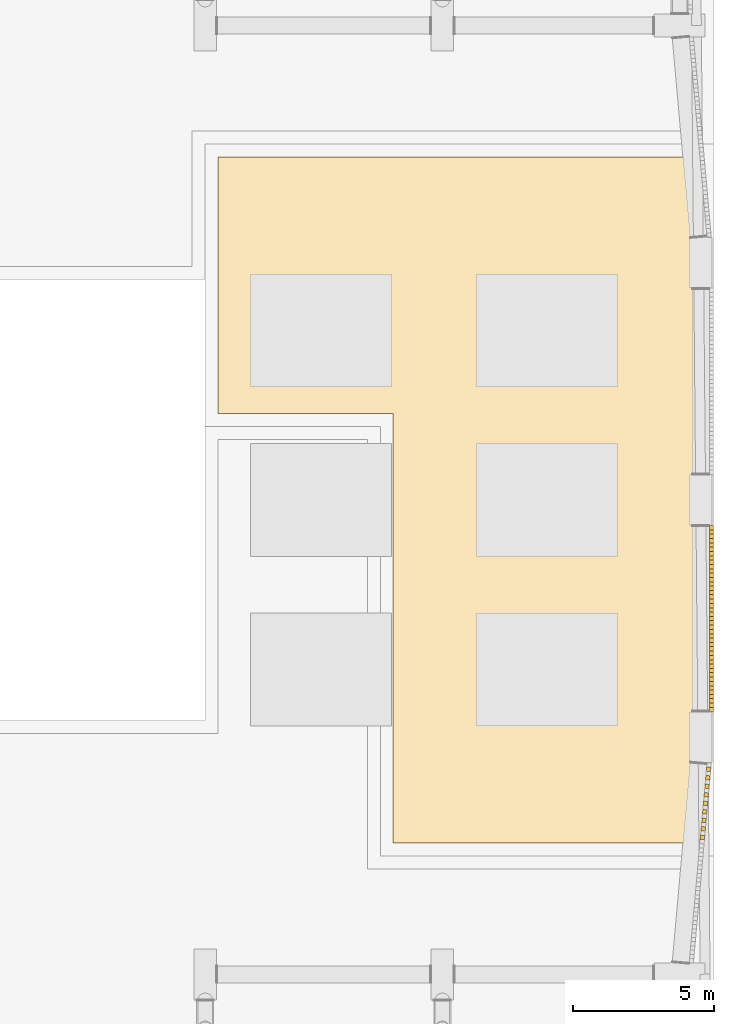
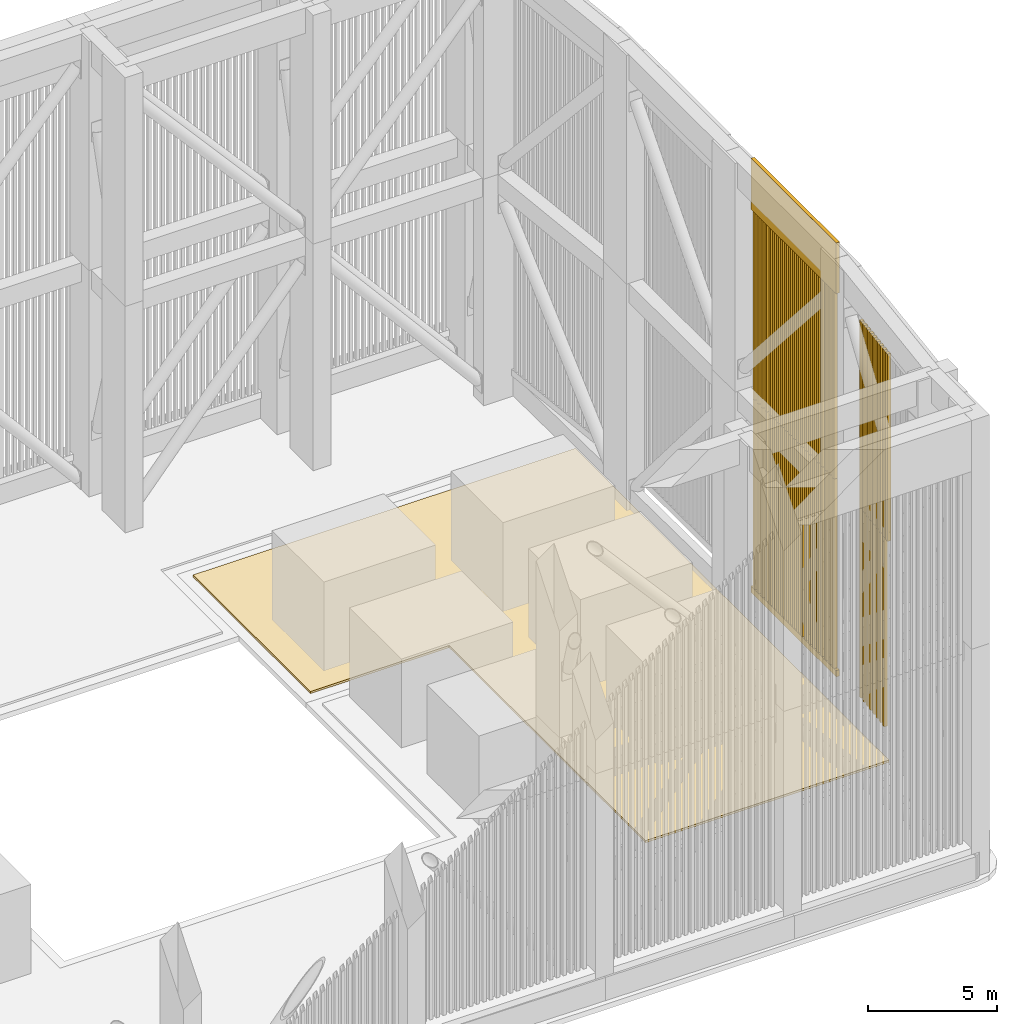
# One storey, part 18 of 27: 59 shading devices, 3 coverings.
"""IFC4 building model written with IfcOpenShell, lengths in metres."""

from ifc_helpers import new_model, si_unit, direction, frame, origin, origin_2d, place, context, subcontext, project, spatial, polyline, rectangle, outline, extrude, material, layer, layer_set, type_object, element, save


model = new_model("IFC4")

# Units and contexts
model_context = context("Model", 3, precision=1e-05, world=origin(), true_north=direction((0.0, 1.0)))
body_context = subcontext(model_context, "Body", "Model", "MODEL_VIEW")
ifc_project = project(units=[si_unit("LENGTHUNIT", "METRE"), si_unit("AREAUNIT", "SQUARE_METRE"), si_unit("VOLUMEUNIT", "CUBIC_METRE"), si_unit("PLANEANGLEUNIT", "RADIAN"), si_unit("MASSUNIT", "GRAM", prefix="KILO")], contexts=[model_context])

# Site, building, storey
site_placement = place(None, origin())
site = spatial("IfcSite", under=ifc_project, at=site_placement, CompositionType="ELEMENT")
building_placement = place(site_placement, origin())
building = spatial("IfcBuilding", under=site, at=building_placement, Name="Claustro Exchange Tower", CompositionType="ELEMENT")
storey_placement = place(building_placement, frame((0.0, 0.0, 287.10009765625)))
storey = spatial("IfcBuildingStorey", under=building, at=storey_placement, Name="ROOF", CompositionType="ELEMENT", Elevation=287.10009765625)

# Coverings
ifc_material_1 = material(Name="Concrete HA-40 (C40/50), precast, white cement, acid-etched", Category="concrete")
ifc_layer_1 = layer(ifc_material_1, 0.14990234375)
ifc_layer_set_1 = layer_set([ifc_layer_1], Name="Concrete HA-40 (C40/50), precast, white cement, acid-etched")
covering_type_1 = type_object("IfcCoveringType", Name="CC1 150 precast concrete crown moulding", PredefinedType="MOLDING", material=ifc_layer_set_1)
covering_1_placement = place(storey_placement, frame((51.525390625, 21.0, 1.10009765625), z_axis=(0.0, 0.0, 1.0), x_axis=(0.0, 1.0, 0.0)))
element("IfcCovering", 1, at=covering_1_placement, inside=storey, type_object=covering_type_1, Name="CROWN SILL CC1 7+750/C - 7+750/D", PredefinedType="MOLDING", context=body_context, shape_type="SweptSolid", body=[
    extrude(rectangle(XDim=6.59912109375, YDim=0.14990234375, at=origin_2d()), origin(), (0.0, 0.0, 1.0), 0.300048828125),
])
covering_2_placement = place(storey_placement, frame((51.525390625, 21.0, 19.199951171875), z_axis=(0.0, 0.0, 1.0), x_axis=(0.0, 1.0, 0.0)))
element("IfcCovering", 2, at=covering_2_placement, inside=storey, type_object=covering_type_1, Name="CROWN CORNICE CC1 7+750/C - 7+750/D", PredefinedType="MOLDING", context=body_context, shape_type="SweptSolid", body=[
    extrude(rectangle(XDim=6.59912109375, YDim=0.14990234375, at=origin_2d()), origin(), (0.0, 0.0, 1.0), 2.39990234375),
])

# Shading devices
ifc_material_2 = material(Name="Concrete HA-40 (C40/50), precast, white cement, acid-etched", Category="concrete")
shading_device_type = type_object("IfcShadingDeviceType", Name="LV1 150 x 150 precast concrete crown louvre", PredefinedType="USERDEFINED", material=ifc_material_2)
shading_device_1_placement = place(storey_placement, frame((51.21044921875, 13.25439453125, 10.349853515625), z_axis=(0.0, 0.0, 1.0), x_axis=(0.088932542032, 0.996037651381, 0.0)))
element("IfcShadingDevice", 3, at=shading_device_1_placement, inside=storey, type_object=shading_device_type, Name="CROWN LOUVRE LV1 7/B - 7+750/C 15 upper", ObjectType="CROWN LOUVRE", PredefinedType="USERDEFINED", context=body_context, shape_type="SweptSolid", body=[
    extrude(rectangle(XDim=0.14990234375, YDim=0.14990234375, at=origin_2d()), origin(), (0.0, 0.0, 1.0), 8.85009765625),
])
shading_device_2_placement = place(storey_placement, frame((51.2373046875, 13.555908203125, 1.39990234375), z_axis=(0.0, 0.0, 1.0), x_axis=(0.088932542032, 0.996037651381, 0.0)))
element("IfcShadingDevice", 4, at=shading_device_2_placement, inside=storey, type_object=shading_device_type, Name="CROWN LOUVRE LV1 7/B - 7+750/C 16 lower", ObjectType="CROWN LOUVRE", PredefinedType="USERDEFINED", context=body_context, shape_type="SweptSolid", body=[
    extrude(rectangle(XDim=0.14990234375, YDim=0.14990234375, at=origin_2d()), origin(), (0.0, 0.0, 1.0), 8.949951171875),
])
shading_device_3_placement = place(storey_placement, frame((51.2373046875, 13.555908203125, 10.349853515625), z_axis=(0.0, 0.0, 1.0), x_axis=(0.088932542032, 0.996037651381, 0.0)))
element("IfcShadingDevice", 5, at=shading_device_3_placement, inside=storey, type_object=shading_device_type, Name="CROWN LOUVRE LV1 7/B - 7+750/C 16 upper", ObjectType="CROWN LOUVRE", PredefinedType="USERDEFINED", context=body_context, shape_type="SweptSolid", body=[
    extrude(rectangle(XDim=0.14990234375, YDim=0.14990234375, at=origin_2d()), origin(), (0.0, 0.0, 1.0), 8.85009765625),
])
shading_device_4_placement = place(storey_placement, frame((51.264404296875, 13.857421875, 1.39990234375), z_axis=(0.0, 0.0, 1.0), x_axis=(0.088932542032, 0.996037651381, 0.0)))
element("IfcShadingDevice", 6, at=shading_device_4_placement, inside=storey, type_object=shading_device_type, Name="CROWN LOUVRE LV1 7/B - 7+750/C 17 lower", ObjectType="CROWN LOUVRE", PredefinedType="USERDEFINED", context=body_context, shape_type="SweptSolid", body=[
    extrude(rectangle(XDim=0.14990234375, YDim=0.14990234375, at=origin_2d()), origin(), (0.0, 0.0, 1.0), 8.949951171875),
])
shading_device_5_placement = place(storey_placement, frame((51.264404296875, 13.857421875, 10.349853515625), z_axis=(0.0, 0.0, 1.0), x_axis=(0.088932542032, 0.996037651381, 0.0)))
element("IfcShadingDevice", 7, at=shading_device_5_placement, inside=storey, type_object=shading_device_type, Name="CROWN LOUVRE LV1 7/B - 7+750/C 17 upper", ObjectType="CROWN LOUVRE", PredefinedType="USERDEFINED", context=body_context, shape_type="SweptSolid", body=[
    extrude(rectangle(XDim=0.14990234375, YDim=0.14990234375, at=origin_2d()), origin(), (0.0, 0.0, 1.0), 8.85009765625),
])
shading_device_6_placement = place(storey_placement, frame((51.291259765625, 14.15869140625, 1.39990234375), z_axis=(0.0, 0.0, 1.0), x_axis=(0.088932542032, 0.996037651381, 0.0)))
element("IfcShadingDevice", 8, at=shading_device_6_placement, inside=storey, type_object=shading_device_type, Name="CROWN LOUVRE LV1 7/B - 7+750/C 18 lower", ObjectType="CROWN LOUVRE", PredefinedType="USERDEFINED", context=body_context, shape_type="SweptSolid", body=[
    extrude(rectangle(XDim=0.14990234375, YDim=0.14990234375, at=origin_2d()), origin(), (0.0, 0.0, 1.0), 8.949951171875),
])
shading_device_7_placement = place(storey_placement, frame((51.291259765625, 14.15869140625, 10.349853515625), z_axis=(0.0, 0.0, 1.0), x_axis=(0.088932542032, 0.996037651381, 0.0)))
element("IfcShadingDevice", 9, at=shading_device_7_placement, inside=storey, type_object=shading_device_type, Name="CROWN LOUVRE LV1 7/B - 7+750/C 18 upper", ObjectType="CROWN LOUVRE", PredefinedType="USERDEFINED", context=body_context, shape_type="SweptSolid", body=[
    extrude(rectangle(XDim=0.14990234375, YDim=0.14990234375, at=origin_2d()), origin(), (0.0, 0.0, 1.0), 8.85009765625),
])
shading_device_8_placement = place(storey_placement, frame((51.318115234375, 14.460205078125, 1.39990234375), z_axis=(0.0, 0.0, 1.0), x_axis=(0.088932542032, 0.996037651381, 0.0)))
element("IfcShadingDevice", 10, at=shading_device_8_placement, inside=storey, type_object=shading_device_type, Name="CROWN LOUVRE LV1 7/B - 7+750/C 19 lower", ObjectType="CROWN LOUVRE", PredefinedType="USERDEFINED", context=body_context, shape_type="SweptSolid", body=[
    extrude(rectangle(XDim=0.14990234375, YDim=0.14990234375, at=origin_2d()), origin(), (0.0, 0.0, 1.0), 8.949951171875),
])
shading_device_9_placement = place(storey_placement, frame((51.318115234375, 14.460205078125, 10.349853515625), z_axis=(0.0, 0.0, 1.0), x_axis=(0.088932542032, 0.996037651381, 0.0)))
element("IfcShadingDevice", 11, at=shading_device_9_placement, inside=storey, type_object=shading_device_type, Name="CROWN LOUVRE LV1 7/B - 7+750/C 19 upper", ObjectType="CROWN LOUVRE", PredefinedType="USERDEFINED", context=body_context, shape_type="SweptSolid", body=[
    extrude(rectangle(XDim=0.14990234375, YDim=0.14990234375, at=origin_2d()), origin(), (0.0, 0.0, 1.0), 8.85009765625),
])
shading_device_10_placement = place(storey_placement, frame((51.344970703125, 14.76171875, 1.39990234375), z_axis=(0.0, 0.0, 1.0), x_axis=(0.088932542032, 0.996037651381, 0.0)))
element("IfcShadingDevice", 12, at=shading_device_10_placement, inside=storey, type_object=shading_device_type, Name="CROWN LOUVRE LV1 7/B - 7+750/C 20 lower", ObjectType="CROWN LOUVRE", PredefinedType="USERDEFINED", context=body_context, shape_type="SweptSolid", body=[
    extrude(rectangle(XDim=0.14990234375, YDim=0.14990234375, at=origin_2d()), origin(), (0.0, 0.0, 1.0), 8.949951171875),
])
shading_device_11_placement = place(storey_placement, frame((51.344970703125, 14.76171875, 10.349853515625), z_axis=(0.0, 0.0, 1.0), x_axis=(0.088932542032, 0.996037651381, 0.0)))
element("IfcShadingDevice", 13, at=shading_device_11_placement, inside=storey, type_object=shading_device_type, Name="CROWN LOUVRE LV1 7/B - 7+750/C 20 upper", ObjectType="CROWN LOUVRE", PredefinedType="USERDEFINED", context=body_context, shape_type="SweptSolid", body=[
    extrude(rectangle(XDim=0.14990234375, YDim=0.14990234375, at=origin_2d()), origin(), (0.0, 0.0, 1.0), 8.85009765625),
])
shading_device_12_placement = place(storey_placement, frame((51.371826171875, 15.063232421875, 1.39990234375), z_axis=(0.0, 0.0, 1.0), x_axis=(0.088932542032, 0.996037651381, 0.0)))
element("IfcShadingDevice", 14, at=shading_device_12_placement, inside=storey, type_object=shading_device_type, Name="CROWN LOUVRE LV1 7/B - 7+750/C 21 lower", ObjectType="CROWN LOUVRE", PredefinedType="USERDEFINED", context=body_context, shape_type="SweptSolid", body=[
    extrude(rectangle(XDim=0.14990234375, YDim=0.14990234375, at=origin_2d()), origin(), (0.0, 0.0, 1.0), 8.949951171875),
])
shading_device_13_placement = place(storey_placement, frame((51.371826171875, 15.063232421875, 10.349853515625), z_axis=(0.0, 0.0, 1.0), x_axis=(0.088932542032, 0.996037651381, 0.0)))
element("IfcShadingDevice", 15, at=shading_device_13_placement, inside=storey, type_object=shading_device_type, Name="CROWN LOUVRE LV1 7/B - 7+750/C 21 upper", ObjectType="CROWN LOUVRE", PredefinedType="USERDEFINED", context=body_context, shape_type="SweptSolid", body=[
    extrude(rectangle(XDim=0.14990234375, YDim=0.14990234375, at=origin_2d()), origin(), (0.0, 0.0, 1.0), 8.85009765625),
])
shading_device_14_placement = place(storey_placement, frame((51.398681640625, 15.364501953125, 1.39990234375), z_axis=(0.0, 0.0, 1.0), x_axis=(0.088932542032, 0.996037651381, 0.0)))
element("IfcShadingDevice", 16, at=shading_device_14_placement, inside=storey, type_object=shading_device_type, Name="CROWN LOUVRE LV1 7/B - 7+750/C 22 lower", ObjectType="CROWN LOUVRE", PredefinedType="USERDEFINED", context=body_context, shape_type="SweptSolid", body=[
    extrude(rectangle(XDim=0.14990234375, YDim=0.14990234375, at=origin_2d()), origin(), (0.0, 0.0, 1.0), 8.949951171875),
])
shading_device_15_placement = place(storey_placement, frame((51.398681640625, 15.364501953125, 10.349853515625), z_axis=(0.0, 0.0, 1.0), x_axis=(0.088932542032, 0.996037651381, 0.0)))
element("IfcShadingDevice", 17, at=shading_device_15_placement, inside=storey, type_object=shading_device_type, Name="CROWN LOUVRE LV1 7/B - 7+750/C 22 upper", ObjectType="CROWN LOUVRE", PredefinedType="USERDEFINED", context=body_context, shape_type="SweptSolid", body=[
    extrude(rectangle(XDim=0.14990234375, YDim=0.14990234375, at=origin_2d()), origin(), (0.0, 0.0, 1.0), 8.85009765625),
])
shading_device_16_placement = place(storey_placement, frame((51.42578125, 15.666015625, 1.39990234375), z_axis=(0.0, 0.0, 1.0), x_axis=(0.088932542032, 0.996037651381, 0.0)))
element("IfcShadingDevice", 18, at=shading_device_16_placement, inside=storey, type_object=shading_device_type, Name="CROWN LOUVRE LV1 7/B - 7+750/C 23 lower", ObjectType="CROWN LOUVRE", PredefinedType="USERDEFINED", context=body_context, shape_type="SweptSolid", body=[
    extrude(rectangle(XDim=0.14990234375, YDim=0.14990234375, at=origin_2d()), origin(), (0.0, 0.0, 1.0), 8.949951171875),
])
shading_device_17_placement = place(storey_placement, frame((51.42578125, 15.666015625, 10.349853515625), z_axis=(0.0, 0.0, 1.0), x_axis=(0.088932542032, 0.996037651381, 0.0)))
element("IfcShadingDevice", 19, at=shading_device_17_placement, inside=storey, type_object=shading_device_type, Name="CROWN LOUVRE LV1 7/B - 7+750/C 23 upper", ObjectType="CROWN LOUVRE", PredefinedType="USERDEFINED", context=body_context, shape_type="SweptSolid", body=[
    extrude(rectangle(XDim=0.14990234375, YDim=0.14990234375, at=origin_2d()), origin(), (0.0, 0.0, 1.0), 8.85009765625),
])
shading_device_18_placement = place(storey_placement, frame((51.525390625, 17.932373046875, 1.39990234375), z_axis=(0.0, 0.0, 1.0), x_axis=(0.0, 1.0, 0.0)))
element("IfcShadingDevice", 20, at=shading_device_18_placement, inside=storey, type_object=shading_device_type, Name="CROWN LOUVRE LV1 7+750/C - 7+750/D 01 lower", ObjectType="CROWN LOUVRE", PredefinedType="USERDEFINED", context=body_context, shape_type="SweptSolid", body=[
    extrude(rectangle(XDim=0.14990234375, YDim=0.14990234375, at=origin_2d()), origin(), (0.0, 0.0, 1.0), 8.949951171875),
])
shading_device_19_placement = place(storey_placement, frame((51.525390625, 17.932373046875, 10.349853515625), z_axis=(0.0, 0.0, 1.0), x_axis=(0.0, 1.0, 0.0)))
element("IfcShadingDevice", 21, at=shading_device_19_placement, inside=storey, type_object=shading_device_type, Name="CROWN LOUVRE LV1 7+750/C - 7+750/D 01 upper", ObjectType="CROWN LOUVRE", PredefinedType="USERDEFINED", context=body_context, shape_type="SweptSolid", body=[
    extrude(rectangle(XDim=0.14990234375, YDim=0.14990234375, at=origin_2d()), origin(), (0.0, 0.0, 1.0), 8.85009765625),
])
shading_device_20_placement = place(storey_placement, frame((51.525390625, 18.239013671875, 1.39990234375), z_axis=(0.0, 0.0, 1.0), x_axis=(0.0, 1.0, 0.0)))
element("IfcShadingDevice", 22, at=shading_device_20_placement, inside=storey, type_object=shading_device_type, Name="CROWN LOUVRE LV1 7+750/C - 7+750/D 02 lower", ObjectType="CROWN LOUVRE", PredefinedType="USERDEFINED", context=body_context, shape_type="SweptSolid", body=[
    extrude(rectangle(XDim=0.14990234375, YDim=0.14990234375, at=origin_2d()), origin(), (0.0, 0.0, 1.0), 8.949951171875),
])
shading_device_21_placement = place(storey_placement, frame((51.525390625, 18.239013671875, 10.349853515625), z_axis=(0.0, 0.0, 1.0), x_axis=(0.0, 1.0, 0.0)))
element("IfcShadingDevice", 23, at=shading_device_21_placement, inside=storey, type_object=shading_device_type, Name="CROWN LOUVRE LV1 7+750/C - 7+750/D 02 upper", ObjectType="CROWN LOUVRE", PredefinedType="USERDEFINED", context=body_context, shape_type="SweptSolid", body=[
    extrude(rectangle(XDim=0.14990234375, YDim=0.14990234375, at=origin_2d()), origin(), (0.0, 0.0, 1.0), 8.85009765625),
])
shading_device_22_placement = place(storey_placement, frame((51.525390625, 18.5458984375, 1.39990234375), z_axis=(0.0, 0.0, 1.0), x_axis=(0.0, 1.0, 0.0)))
element("IfcShadingDevice", 24, at=shading_device_22_placement, inside=storey, type_object=shading_device_type, Name="CROWN LOUVRE LV1 7+750/C - 7+750/D 03 lower", ObjectType="CROWN LOUVRE", PredefinedType="USERDEFINED", context=body_context, shape_type="SweptSolid", body=[
    extrude(rectangle(XDim=0.14990234375, YDim=0.14990234375, at=origin_2d()), origin(), (0.0, 0.0, 1.0), 8.949951171875),
])
shading_device_23_placement = place(storey_placement, frame((51.525390625, 18.5458984375, 10.349853515625), z_axis=(0.0, 0.0, 1.0), x_axis=(0.0, 1.0, 0.0)))
element("IfcShadingDevice", 25, at=shading_device_23_placement, inside=storey, type_object=shading_device_type, Name="CROWN LOUVRE LV1 7+750/C - 7+750/D 03 upper", ObjectType="CROWN LOUVRE", PredefinedType="USERDEFINED", context=body_context, shape_type="SweptSolid", body=[
    extrude(rectangle(XDim=0.14990234375, YDim=0.14990234375, at=origin_2d()), origin(), (0.0, 0.0, 1.0), 8.85009765625),
])
shading_device_24_placement = place(storey_placement, frame((51.525390625, 18.8525390625, 1.39990234375), z_axis=(0.0, 0.0, 1.0), x_axis=(0.0, 1.0, 0.0)))
element("IfcShadingDevice", 26, at=shading_device_24_placement, inside=storey, type_object=shading_device_type, Name="CROWN LOUVRE LV1 7+750/C - 7+750/D 04 lower", ObjectType="CROWN LOUVRE", PredefinedType="USERDEFINED", context=body_context, shape_type="SweptSolid", body=[
    extrude(rectangle(XDim=0.14990234375, YDim=0.14990234375, at=origin_2d()), origin(), (0.0, 0.0, 1.0), 8.949951171875),
])
shading_device_25_placement = place(storey_placement, frame((51.525390625, 18.8525390625, 10.349853515625), z_axis=(0.0, 0.0, 1.0), x_axis=(0.0, 1.0, 0.0)))
element("IfcShadingDevice", 27, at=shading_device_25_placement, inside=storey, type_object=shading_device_type, Name="CROWN LOUVRE LV1 7+750/C - 7+750/D 04 upper", ObjectType="CROWN LOUVRE", PredefinedType="USERDEFINED", context=body_context, shape_type="SweptSolid", body=[
    extrude(rectangle(XDim=0.14990234375, YDim=0.14990234375, at=origin_2d()), origin(), (0.0, 0.0, 1.0), 8.85009765625),
])
shading_device_26_placement = place(storey_placement, frame((51.525390625, 19.159423828125, 1.39990234375), z_axis=(0.0, 0.0, 1.0), x_axis=(0.0, 1.0, 0.0)))
element("IfcShadingDevice", 28, at=shading_device_26_placement, inside=storey, type_object=shading_device_type, Name="CROWN LOUVRE LV1 7+750/C - 7+750/D 05 lower", ObjectType="CROWN LOUVRE", PredefinedType="USERDEFINED", context=body_context, shape_type="SweptSolid", body=[
    extrude(rectangle(XDim=0.14990234375, YDim=0.14990234375, at=origin_2d()), origin(), (0.0, 0.0, 1.0), 8.949951171875),
])
shading_device_27_placement = place(storey_placement, frame((51.525390625, 19.159423828125, 10.349853515625), z_axis=(0.0, 0.0, 1.0), x_axis=(0.0, 1.0, 0.0)))
element("IfcShadingDevice", 29, at=shading_device_27_placement, inside=storey, type_object=shading_device_type, Name="CROWN LOUVRE LV1 7+750/C - 7+750/D 05 upper", ObjectType="CROWN LOUVRE", PredefinedType="USERDEFINED", context=body_context, shape_type="SweptSolid", body=[
    extrude(rectangle(XDim=0.14990234375, YDim=0.14990234375, at=origin_2d()), origin(), (0.0, 0.0, 1.0), 8.85009765625),
])
shading_device_28_placement = place(storey_placement, frame((51.525390625, 19.466064453125, 1.39990234375), z_axis=(0.0, 0.0, 1.0), x_axis=(0.0, 1.0, 0.0)))
element("IfcShadingDevice", 30, at=shading_device_28_placement, inside=storey, type_object=shading_device_type, Name="CROWN LOUVRE LV1 7+750/C - 7+750/D 06 lower", ObjectType="CROWN LOUVRE", PredefinedType="USERDEFINED", context=body_context, shape_type="SweptSolid", body=[
    extrude(rectangle(XDim=0.14990234375, YDim=0.14990234375, at=origin_2d()), origin(), (0.0, 0.0, 1.0), 8.949951171875),
])
shading_device_29_placement = place(storey_placement, frame((51.525390625, 19.466064453125, 10.349853515625), z_axis=(0.0, 0.0, 1.0), x_axis=(0.0, 1.0, 0.0)))
element("IfcShadingDevice", 31, at=shading_device_29_placement, inside=storey, type_object=shading_device_type, Name="CROWN LOUVRE LV1 7+750/C - 7+750/D 06 upper", ObjectType="CROWN LOUVRE", PredefinedType="USERDEFINED", context=body_context, shape_type="SweptSolid", body=[
    extrude(rectangle(XDim=0.14990234375, YDim=0.14990234375, at=origin_2d()), origin(), (0.0, 0.0, 1.0), 8.85009765625),
])
shading_device_30_placement = place(storey_placement, frame((51.525390625, 19.77294921875, 1.39990234375), z_axis=(0.0, 0.0, 1.0), x_axis=(0.0, 1.0, 0.0)))
element("IfcShadingDevice", 32, at=shading_device_30_placement, inside=storey, type_object=shading_device_type, Name="CROWN LOUVRE LV1 7+750/C - 7+750/D 07 lower", ObjectType="CROWN LOUVRE", PredefinedType="USERDEFINED", context=body_context, shape_type="SweptSolid", body=[
    extrude(rectangle(XDim=0.14990234375, YDim=0.14990234375, at=origin_2d()), origin(), (0.0, 0.0, 1.0), 8.949951171875),
])
shading_device_31_placement = place(storey_placement, frame((51.525390625, 19.77294921875, 10.349853515625), z_axis=(0.0, 0.0, 1.0), x_axis=(0.0, 1.0, 0.0)))
element("IfcShadingDevice", 33, at=shading_device_31_placement, inside=storey, type_object=shading_device_type, Name="CROWN LOUVRE LV1 7+750/C - 7+750/D 07 upper", ObjectType="CROWN LOUVRE", PredefinedType="USERDEFINED", context=body_context, shape_type="SweptSolid", body=[
    extrude(rectangle(XDim=0.14990234375, YDim=0.14990234375, at=origin_2d()), origin(), (0.0, 0.0, 1.0), 8.85009765625),
])
shading_device_32_placement = place(storey_placement, frame((51.525390625, 20.07958984375, 1.39990234375), z_axis=(0.0, 0.0, 1.0), x_axis=(0.0, 1.0, 0.0)))
element("IfcShadingDevice", 34, at=shading_device_32_placement, inside=storey, type_object=shading_device_type, Name="CROWN LOUVRE LV1 7+750/C - 7+750/D 08 lower", ObjectType="CROWN LOUVRE", PredefinedType="USERDEFINED", context=body_context, shape_type="SweptSolid", body=[
    extrude(rectangle(XDim=0.14990234375, YDim=0.14990234375, at=origin_2d()), origin(), (0.0, 0.0, 1.0), 8.949951171875),
])
shading_device_33_placement = place(storey_placement, frame((51.525390625, 20.07958984375, 10.349853515625), z_axis=(0.0, 0.0, 1.0), x_axis=(0.0, 1.0, 0.0)))
element("IfcShadingDevice", 35, at=shading_device_33_placement, inside=storey, type_object=shading_device_type, Name="CROWN LOUVRE LV1 7+750/C - 7+750/D 08 upper", ObjectType="CROWN LOUVRE", PredefinedType="USERDEFINED", context=body_context, shape_type="SweptSolid", body=[
    extrude(rectangle(XDim=0.14990234375, YDim=0.14990234375, at=origin_2d()), origin(), (0.0, 0.0, 1.0), 8.85009765625),
])
shading_device_34_placement = place(storey_placement, frame((51.525390625, 20.386474609375, 1.39990234375), z_axis=(0.0, 0.0, 1.0), x_axis=(0.0, 1.0, 0.0)))
element("IfcShadingDevice", 36, at=shading_device_34_placement, inside=storey, type_object=shading_device_type, Name="CROWN LOUVRE LV1 7+750/C - 7+750/D 09 lower", ObjectType="CROWN LOUVRE", PredefinedType="USERDEFINED", context=body_context, shape_type="SweptSolid", body=[
    extrude(rectangle(XDim=0.14990234375, YDim=0.14990234375, at=origin_2d()), origin(), (0.0, 0.0, 1.0), 8.949951171875),
])
shading_device_35_placement = place(storey_placement, frame((51.525390625, 20.386474609375, 10.349853515625), z_axis=(0.0, 0.0, 1.0), x_axis=(0.0, 1.0, 0.0)))
element("IfcShadingDevice", 37, at=shading_device_35_placement, inside=storey, type_object=shading_device_type, Name="CROWN LOUVRE LV1 7+750/C - 7+750/D 09 upper", ObjectType="CROWN LOUVRE", PredefinedType="USERDEFINED", context=body_context, shape_type="SweptSolid", body=[
    extrude(rectangle(XDim=0.14990234375, YDim=0.14990234375, at=origin_2d()), origin(), (0.0, 0.0, 1.0), 8.85009765625),
])
shading_device_36_placement = place(storey_placement, frame((51.525390625, 20.693115234375, 1.39990234375), z_axis=(0.0, 0.0, 1.0), x_axis=(0.0, 1.0, 0.0)))
element("IfcShadingDevice", 38, at=shading_device_36_placement, inside=storey, type_object=shading_device_type, Name="CROWN LOUVRE LV1 7+750/C - 7+750/D 10 lower", ObjectType="CROWN LOUVRE", PredefinedType="USERDEFINED", context=body_context, shape_type="SweptSolid", body=[
    extrude(rectangle(XDim=0.14990234375, YDim=0.14990234375, at=origin_2d()), origin(), (0.0, 0.0, 1.0), 8.949951171875),
])
shading_device_37_placement = place(storey_placement, frame((51.525390625, 20.693115234375, 10.349853515625), z_axis=(0.0, 0.0, 1.0), x_axis=(0.0, 1.0, 0.0)))
element("IfcShadingDevice", 39, at=shading_device_37_placement, inside=storey, type_object=shading_device_type, Name="CROWN LOUVRE LV1 7+750/C - 7+750/D 10 upper", ObjectType="CROWN LOUVRE", PredefinedType="USERDEFINED", context=body_context, shape_type="SweptSolid", body=[
    extrude(rectangle(XDim=0.14990234375, YDim=0.14990234375, at=origin_2d()), origin(), (0.0, 0.0, 1.0), 8.85009765625),
])
shading_device_38_placement = place(storey_placement, frame((51.525390625, 21.0, 1.39990234375), z_axis=(0.0, 0.0, 1.0), x_axis=(0.0, 1.0, 0.0)))
element("IfcShadingDevice", 40, at=shading_device_38_placement, inside=storey, type_object=shading_device_type, Name="CROWN LOUVRE LV1 7+750/C - 7+750/D 11 lower", ObjectType="CROWN LOUVRE", PredefinedType="USERDEFINED", context=body_context, shape_type="SweptSolid", body=[
    extrude(rectangle(XDim=0.14990234375, YDim=0.14990234375, at=origin_2d()), origin(), (0.0, 0.0, 1.0), 8.949951171875),
])
shading_device_39_placement = place(storey_placement, frame((51.525390625, 21.0, 10.349853515625), z_axis=(0.0, 0.0, 1.0), x_axis=(0.0, 1.0, 0.0)))
element("IfcShadingDevice", 41, at=shading_device_39_placement, inside=storey, type_object=shading_device_type, Name="CROWN LOUVRE LV1 7+750/C - 7+750/D 11 upper", ObjectType="CROWN LOUVRE", PredefinedType="USERDEFINED", context=body_context, shape_type="SweptSolid", body=[
    extrude(rectangle(XDim=0.14990234375, YDim=0.14990234375, at=origin_2d()), origin(), (0.0, 0.0, 1.0), 8.85009765625),
])
shading_device_40_placement = place(storey_placement, frame((51.525390625, 21.306884765625, 1.39990234375), z_axis=(0.0, 0.0, 1.0), x_axis=(0.0, 1.0, 0.0)))
element("IfcShadingDevice", 42, at=shading_device_40_placement, inside=storey, type_object=shading_device_type, Name="CROWN LOUVRE LV1 7+750/C - 7+750/D 12 lower", ObjectType="CROWN LOUVRE", PredefinedType="USERDEFINED", context=body_context, shape_type="SweptSolid", body=[
    extrude(rectangle(XDim=0.14990234375, YDim=0.14990234375, at=origin_2d()), origin(), (0.0, 0.0, 1.0), 8.949951171875),
])
shading_device_41_placement = place(storey_placement, frame((51.525390625, 21.306884765625, 10.349853515625), z_axis=(0.0, 0.0, 1.0), x_axis=(0.0, 1.0, 0.0)))
element("IfcShadingDevice", 43, at=shading_device_41_placement, inside=storey, type_object=shading_device_type, Name="CROWN LOUVRE LV1 7+750/C - 7+750/D 12 upper", ObjectType="CROWN LOUVRE", PredefinedType="USERDEFINED", context=body_context, shape_type="SweptSolid", body=[
    extrude(rectangle(XDim=0.14990234375, YDim=0.14990234375, at=origin_2d()), origin(), (0.0, 0.0, 1.0), 8.85009765625),
])
shading_device_42_placement = place(storey_placement, frame((51.525390625, 21.613525390625, 1.39990234375), z_axis=(0.0, 0.0, 1.0), x_axis=(0.0, 1.0, 0.0)))
element("IfcShadingDevice", 44, at=shading_device_42_placement, inside=storey, type_object=shading_device_type, Name="CROWN LOUVRE LV1 7+750/C - 7+750/D 13 lower", ObjectType="CROWN LOUVRE", PredefinedType="USERDEFINED", context=body_context, shape_type="SweptSolid", body=[
    extrude(rectangle(XDim=0.14990234375, YDim=0.14990234375, at=origin_2d()), origin(), (0.0, 0.0, 1.0), 8.949951171875),
])
shading_device_43_placement = place(storey_placement, frame((51.525390625, 21.613525390625, 10.349853515625), z_axis=(0.0, 0.0, 1.0), x_axis=(0.0, 1.0, 0.0)))
element("IfcShadingDevice", 45, at=shading_device_43_placement, inside=storey, type_object=shading_device_type, Name="CROWN LOUVRE LV1 7+750/C - 7+750/D 13 upper", ObjectType="CROWN LOUVRE", PredefinedType="USERDEFINED", context=body_context, shape_type="SweptSolid", body=[
    extrude(rectangle(XDim=0.14990234375, YDim=0.14990234375, at=origin_2d()), origin(), (0.0, 0.0, 1.0), 8.85009765625),
])
shading_device_44_placement = place(storey_placement, frame((51.525390625, 21.92041015625, 1.39990234375), z_axis=(0.0, 0.0, 1.0), x_axis=(0.0, 1.0, 0.0)))
element("IfcShadingDevice", 46, at=shading_device_44_placement, inside=storey, type_object=shading_device_type, Name="CROWN LOUVRE LV1 7+750/C - 7+750/D 14 lower", ObjectType="CROWN LOUVRE", PredefinedType="USERDEFINED", context=body_context, shape_type="SweptSolid", body=[
    extrude(rectangle(XDim=0.14990234375, YDim=0.14990234375, at=origin_2d()), origin(), (0.0, 0.0, 1.0), 8.949951171875),
])
shading_device_45_placement = place(storey_placement, frame((51.525390625, 21.92041015625, 10.349853515625), z_axis=(0.0, 0.0, 1.0), x_axis=(0.0, 1.0, 0.0)))
element("IfcShadingDevice", 47, at=shading_device_45_placement, inside=storey, type_object=shading_device_type, Name="CROWN LOUVRE LV1 7+750/C - 7+750/D 14 upper", ObjectType="CROWN LOUVRE", PredefinedType="USERDEFINED", context=body_context, shape_type="SweptSolid", body=[
    extrude(rectangle(XDim=0.14990234375, YDim=0.14990234375, at=origin_2d()), origin(), (0.0, 0.0, 1.0), 8.85009765625),
])
shading_device_46_placement = place(storey_placement, frame((51.525390625, 22.22705078125, 1.39990234375), z_axis=(0.0, 0.0, 1.0), x_axis=(0.0, 1.0, 0.0)))
element("IfcShadingDevice", 48, at=shading_device_46_placement, inside=storey, type_object=shading_device_type, Name="CROWN LOUVRE LV1 7+750/C - 7+750/D 15 lower", ObjectType="CROWN LOUVRE", PredefinedType="USERDEFINED", context=body_context, shape_type="SweptSolid", body=[
    extrude(rectangle(XDim=0.14990234375, YDim=0.14990234375, at=origin_2d()), origin(), (0.0, 0.0, 1.0), 8.949951171875),
])
shading_device_47_placement = place(storey_placement, frame((51.525390625, 22.22705078125, 10.349853515625), z_axis=(0.0, 0.0, 1.0), x_axis=(0.0, 1.0, 0.0)))
element("IfcShadingDevice", 49, at=shading_device_47_placement, inside=storey, type_object=shading_device_type, Name="CROWN LOUVRE LV1 7+750/C - 7+750/D 15 upper", ObjectType="CROWN LOUVRE", PredefinedType="USERDEFINED", context=body_context, shape_type="SweptSolid", body=[
    extrude(rectangle(XDim=0.14990234375, YDim=0.14990234375, at=origin_2d()), origin(), (0.0, 0.0, 1.0), 8.85009765625),
])
shading_device_48_placement = place(storey_placement, frame((51.525390625, 22.533935546875, 1.39990234375), z_axis=(0.0, 0.0, 1.0), x_axis=(0.0, 1.0, 0.0)))
element("IfcShadingDevice", 50, at=shading_device_48_placement, inside=storey, type_object=shading_device_type, Name="CROWN LOUVRE LV1 7+750/C - 7+750/D 16 lower", ObjectType="CROWN LOUVRE", PredefinedType="USERDEFINED", context=body_context, shape_type="SweptSolid", body=[
    extrude(rectangle(XDim=0.14990234375, YDim=0.14990234375, at=origin_2d()), origin(), (0.0, 0.0, 1.0), 8.949951171875),
])
shading_device_49_placement = place(storey_placement, frame((51.525390625, 22.533935546875, 10.349853515625), z_axis=(0.0, 0.0, 1.0), x_axis=(0.0, 1.0, 0.0)))
element("IfcShadingDevice", 51, at=shading_device_49_placement, inside=storey, type_object=shading_device_type, Name="CROWN LOUVRE LV1 7+750/C - 7+750/D 16 upper", ObjectType="CROWN LOUVRE", PredefinedType="USERDEFINED", context=body_context, shape_type="SweptSolid", body=[
    extrude(rectangle(XDim=0.14990234375, YDim=0.14990234375, at=origin_2d()), origin(), (0.0, 0.0, 1.0), 8.85009765625),
])
shading_device_50_placement = place(storey_placement, frame((51.525390625, 22.840576171875, 1.39990234375), z_axis=(0.0, 0.0, 1.0), x_axis=(0.0, 1.0, 0.0)))
element("IfcShadingDevice", 52, at=shading_device_50_placement, inside=storey, type_object=shading_device_type, Name="CROWN LOUVRE LV1 7+750/C - 7+750/D 17 lower", ObjectType="CROWN LOUVRE", PredefinedType="USERDEFINED", context=body_context, shape_type="SweptSolid", body=[
    extrude(rectangle(XDim=0.14990234375, YDim=0.14990234375, at=origin_2d()), origin(), (0.0, 0.0, 1.0), 8.949951171875),
])
shading_device_51_placement = place(storey_placement, frame((51.525390625, 22.840576171875, 10.349853515625), z_axis=(0.0, 0.0, 1.0), x_axis=(0.0, 1.0, 0.0)))
element("IfcShadingDevice", 53, at=shading_device_51_placement, inside=storey, type_object=shading_device_type, Name="CROWN LOUVRE LV1 7+750/C - 7+750/D 17 upper", ObjectType="CROWN LOUVRE", PredefinedType="USERDEFINED", context=body_context, shape_type="SweptSolid", body=[
    extrude(rectangle(XDim=0.14990234375, YDim=0.14990234375, at=origin_2d()), origin(), (0.0, 0.0, 1.0), 8.85009765625),
])
shading_device_52_placement = place(storey_placement, frame((51.525390625, 23.1474609375, 1.39990234375), z_axis=(0.0, 0.0, 1.0), x_axis=(0.0, 1.0, 0.0)))
element("IfcShadingDevice", 54, at=shading_device_52_placement, inside=storey, type_object=shading_device_type, Name="CROWN LOUVRE LV1 7+750/C - 7+750/D 18 lower", ObjectType="CROWN LOUVRE", PredefinedType="USERDEFINED", context=body_context, shape_type="SweptSolid", body=[
    extrude(rectangle(XDim=0.14990234375, YDim=0.14990234375, at=origin_2d()), origin(), (0.0, 0.0, 1.0), 8.949951171875),
])
shading_device_53_placement = place(storey_placement, frame((51.525390625, 23.1474609375, 10.349853515625), z_axis=(0.0, 0.0, 1.0), x_axis=(0.0, 1.0, 0.0)))
element("IfcShadingDevice", 55, at=shading_device_53_placement, inside=storey, type_object=shading_device_type, Name="CROWN LOUVRE LV1 7+750/C - 7+750/D 18 upper", ObjectType="CROWN LOUVRE", PredefinedType="USERDEFINED", context=body_context, shape_type="SweptSolid", body=[
    extrude(rectangle(XDim=0.14990234375, YDim=0.14990234375, at=origin_2d()), origin(), (0.0, 0.0, 1.0), 8.85009765625),
])
shading_device_54_placement = place(storey_placement, frame((51.525390625, 23.4541015625, 1.39990234375), z_axis=(0.0, 0.0, 1.0), x_axis=(0.0, 1.0, 0.0)))
element("IfcShadingDevice", 56, at=shading_device_54_placement, inside=storey, type_object=shading_device_type, Name="CROWN LOUVRE LV1 7+750/C - 7+750/D 19 lower", ObjectType="CROWN LOUVRE", PredefinedType="USERDEFINED", context=body_context, shape_type="SweptSolid", body=[
    extrude(rectangle(XDim=0.14990234375, YDim=0.14990234375, at=origin_2d()), origin(), (0.0, 0.0, 1.0), 8.949951171875),
])
shading_device_55_placement = place(storey_placement, frame((51.525390625, 23.4541015625, 10.349853515625), z_axis=(0.0, 0.0, 1.0), x_axis=(0.0, 1.0, 0.0)))
element("IfcShadingDevice", 57, at=shading_device_55_placement, inside=storey, type_object=shading_device_type, Name="CROWN LOUVRE LV1 7+750/C - 7+750/D 19 upper", ObjectType="CROWN LOUVRE", PredefinedType="USERDEFINED", context=body_context, shape_type="SweptSolid", body=[
    extrude(rectangle(XDim=0.14990234375, YDim=0.14990234375, at=origin_2d()), origin(), (0.0, 0.0, 1.0), 8.85009765625),
])
shading_device_56_placement = place(storey_placement, frame((51.525390625, 23.760986328125, 1.39990234375), z_axis=(0.0, 0.0, 1.0), x_axis=(0.0, 1.0, 0.0)))
element("IfcShadingDevice", 58, at=shading_device_56_placement, inside=storey, type_object=shading_device_type, Name="CROWN LOUVRE LV1 7+750/C - 7+750/D 20 lower", ObjectType="CROWN LOUVRE", PredefinedType="USERDEFINED", context=body_context, shape_type="SweptSolid", body=[
    extrude(rectangle(XDim=0.14990234375, YDim=0.14990234375, at=origin_2d()), origin(), (0.0, 0.0, 1.0), 8.949951171875),
])
shading_device_57_placement = place(storey_placement, frame((51.525390625, 23.760986328125, 10.349853515625), z_axis=(0.0, 0.0, 1.0), x_axis=(0.0, 1.0, 0.0)))
element("IfcShadingDevice", 59, at=shading_device_57_placement, inside=storey, type_object=shading_device_type, Name="CROWN LOUVRE LV1 7+750/C - 7+750/D 20 upper", ObjectType="CROWN LOUVRE", PredefinedType="USERDEFINED", context=body_context, shape_type="SweptSolid", body=[
    extrude(rectangle(XDim=0.14990234375, YDim=0.14990234375, at=origin_2d()), origin(), (0.0, 0.0, 1.0), 8.85009765625),
])
shading_device_58_placement = place(storey_placement, frame((51.525390625, 24.067626953125, 1.39990234375), z_axis=(0.0, 0.0, 1.0), x_axis=(0.0, 1.0, 0.0)))
element("IfcShadingDevice", 60, at=shading_device_58_placement, inside=storey, type_object=shading_device_type, Name="CROWN LOUVRE LV1 7+750/C - 7+750/D 21 lower", ObjectType="CROWN LOUVRE", PredefinedType="USERDEFINED", context=body_context, shape_type="SweptSolid", body=[
    extrude(rectangle(XDim=0.14990234375, YDim=0.14990234375, at=origin_2d()), origin(), (0.0, 0.0, 1.0), 8.949951171875),
])
shading_device_59_placement = place(storey_placement, frame((51.525390625, 24.067626953125, 10.349853515625), z_axis=(0.0, 0.0, 1.0), x_axis=(0.0, 1.0, 0.0)))
element("IfcShadingDevice", 61, at=shading_device_59_placement, inside=storey, type_object=shading_device_type, Name="CROWN LOUVRE LV1 7+750/C - 7+750/D 21 upper", ObjectType="CROWN LOUVRE", PredefinedType="USERDEFINED", context=body_context, shape_type="SweptSolid", body=[
    extrude(rectangle(XDim=0.14990234375, YDim=0.14990234375, at=origin_2d()), origin(), (0.0, 0.0, 1.0), 8.85009765625),
])

# Covering
ifc_material_3 = material(Name="Bituminous membrane, insulation, gravel ballast", Category="bitumen")
ifc_layer_2 = layer(ifc_material_3, 0.10009765625)
ifc_layer_set_2 = layer_set([ifc_layer_2], Name="Bituminous membrane, insulation, gravel ballast")
covering_type_2 = type_object("IfcCoveringType", Name="RM1 100 inverted roof membrane and ballast", PredefinedType="ROOFING", material=ifc_layer_set_2)
covering_3_placement = place(storey_placement, origin())
element("IfcCovering", 62, at=covering_3_placement, inside=storey, type_object=covering_type_2, Name="Roof finish RM1 over L64", PredefinedType="ROOFING", context=body_context, shape_type="SweptSolid", body=[
    extrude(outline(polyline([(34.06005859375, 37.340087890625), (34.06005859375, 28.260009765625), (40.260009765625, 28.260009765625), (40.260009765625, 13.06005859375), (51.139892578125, 13.06005859375), (51.139892578125, 37.340087890625), (34.06005859375, 37.340087890625)])), origin(), (0.0, 0.0, 1.0), 0.099853515625),
])

save(model, "model.ifc")
